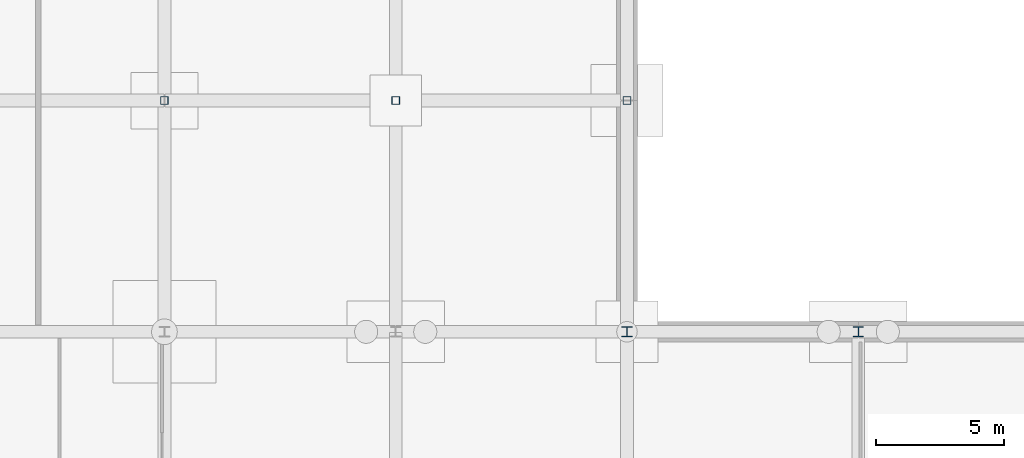
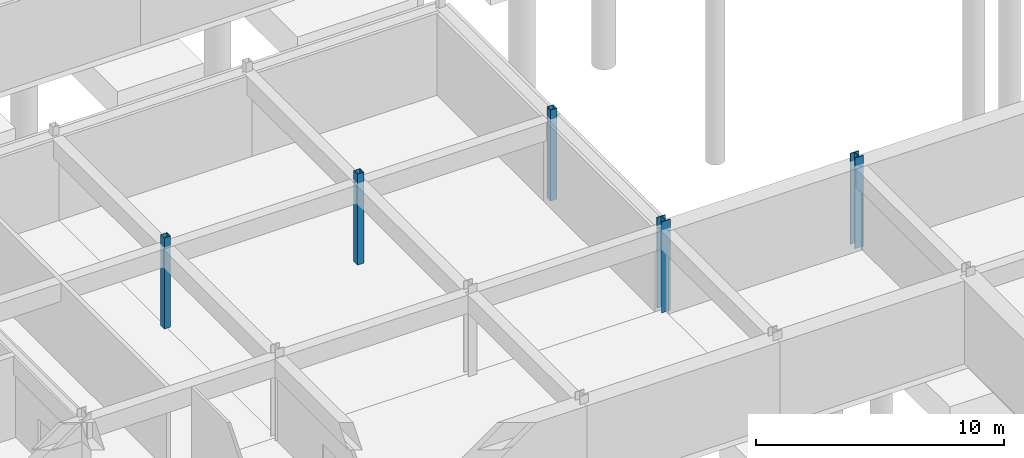
# One storey, part 16 of 41: 5 columns.
"""IFC4 building model written with IfcOpenShell, lengths in metres."""

import ifcopenshell
import ifcopenshell.guid

model = None  # the IFC model being written
_history = None  # IfcOwnerHistory: only IFC2X3 demands one
_inside = {}  # id of a spatial element -> (the spatial element, [elements in it])
_under = {}  # id of a project, library or spatial element -> (it, [spatial elements below it])
_declared = {}  # id of a project -> (the project, [libraries it declares])
_typed = {}  # id of a type object -> (the type object, [elements of that type])
_made_of = {}  # id of a material, layer set ... -> (it, [elements and type objects made of it])


def new_model(schema):
    """Start an empty IFC model of exactly this schema.

    Asked for "IFC4X3", IfcOpenShell would pick the latest addendum, in which some entities
    have other attributes; the version numbers below select the first issue.
    IFC2X3 requires an IfcOwnerHistory on every rooted entity: one is made here for all.
    """
    global model, _history
    if schema == "IFC4X3":
        model = ifcopenshell.file(schema_version=(4, 3, 0, 0))
    else:
        model = ifcopenshell.file(schema=schema)
    _inside.clear()
    _under.clear()
    _declared.clear()
    _typed.clear()
    _made_of.clear()
    _history = None
    if model.schema == "IFC2X3":
        org = make("IfcOrganization", Name="unknown")
        user = make(
            "IfcPersonAndOrganization",
            ThePerson=make("IfcPerson", FamilyName="unknown"),
            TheOrganization=org,
        )
        app = make(
            "IfcApplication",
            ApplicationDeveloper=org,
            Version="unknown",
            ApplicationFullName="unknown",
            ApplicationIdentifier="unknown",
        )
        _history = make(
            "IfcOwnerHistory",
            OwningUser=user,
            OwningApplication=app,
            ChangeAction="ADDED",
            CreationDate=0,
        )
    return model


def make(cls, **values):
    """One entity of the class cls with the attributes given. An attribute that is None is left unset."""
    return model.create_entity(
        cls, **{name: value for name, value in values.items() if value is not None}
    )


def rooted(cls, **values):
    """An entity with a GlobalId (a new one), such as an element, a storey or a relation."""
    return make(cls, GlobalId=ifcopenshell.guid.new(), OwnerHistory=_history, **values)


def si_unit(unit_type, name, prefix=None):
    """IfcSIUnit, for example si_unit("LENGTHUNIT", "METRE", prefix="MILLI")."""
    return make("IfcSIUnit", UnitType=unit_type, Prefix=prefix, Name=name)


def assignment(units):
    """IfcUnitAssignment: the units of a project."""
    return None if units is None else make("IfcUnitAssignment", Units=units)


def point(xyz):
    """IfcCartesianPoint."""
    return None if xyz is None else make("IfcCartesianPoint", Coordinates=xyz)


def direction(xyz):
    """IfcDirection."""
    return None if xyz is None else make("IfcDirection", DirectionRatios=xyz)


def frame(location, z_axis=None, x_axis=None):
    """IfcAxis2Placement3D, a coordinate frame: its origin and axes. An axis left out is left unset."""
    return make(
        "IfcAxis2Placement3D",
        Location=point(location),
        Axis=direction(z_axis),
        RefDirection=direction(x_axis),
    )


def frame_2d(location, x_axis=None):
    """IfcAxis2Placement2D, a coordinate frame in the plane: its origin and x axis."""
    return make(
        "IfcAxis2Placement2D", Location=point(location), RefDirection=direction(x_axis)
    )


def origin():
    """The frame at (0, 0, 0) with its axes left unset."""
    return frame((0.0, 0.0, 0.0))


def origin_2d():
    """The frame at (0, 0) in the plane with its x axis left unset."""
    return frame_2d((0.0, 0.0))


def place(relative_to, where):
    """IfcLocalPlacement: puts the frame where relative to a parent placement (None: the world)."""
    return make(
        "IfcLocalPlacement", PlacementRelTo=relative_to, RelativePlacement=where
    )


def context(
    kind, dimensions, precision=None, world=None, true_north=None, identifier=None
):
    """IfcGeometricRepresentationContext, for example the 3D "Model" context."""
    return make(
        "IfcGeometricRepresentationContext",
        ContextIdentifier=identifier,
        ContextType=kind,
        CoordinateSpaceDimension=dimensions,
        Precision=precision,
        WorldCoordinateSystem=world,
        TrueNorth=true_north,
    )


def subcontext(parent, identifier, kind, view, scale=None):
    """IfcGeometricRepresentationSubContext, for example "Body" below "Model"."""
    return make(
        "IfcGeometricRepresentationSubContext",
        ContextIdentifier=identifier,
        ContextType=kind,
        ParentContext=parent,
        TargetScale=scale,
        TargetView=view,
    )


def project(units=None, contexts=None):
    """IfcProject with its units and contexts."""
    return rooted(
        "IfcProject",
        Name="project",
        RepresentationContexts=contexts,
        UnitsInContext=assignment(units),
    )


def spatial(cls, under=None, at=None, **own):
    """A site, building, storey or space (cls), placed at a placement, below another one or the project."""
    s = rooted(cls, ObjectPlacement=at, **own)
    if under is not None:
        _under.setdefault(under.id(), (under, []))[1].append(s)
    return s


def profile(cls, at=None, kind="AREA", **sizes):
    """A parametric profile (cls). Its sizes go by their IFC names, for example OverallWidth=200.0."""
    return make(cls, ProfileType=kind, Position=at, **sizes)


def hollow_rectangle(**sizes):
    """IfcRectangleHollowProfileDef."""
    return profile("IfcRectangleHollowProfileDef", **sizes)


def i_section(**sizes):
    """IfcIShapeProfileDef."""
    return profile("IfcIShapeProfileDef", **sizes)


def extrude(swept, where, along, depth):
    """IfcExtrudedAreaSolid: the profile swept, set in the frame where, extruded along a direction by depth."""
    return make(
        "IfcExtrudedAreaSolid",
        SweptArea=swept,
        Position=where,
        ExtrudedDirection=direction(along),
        Depth=depth,
    )


def shape(context_of_items, identifier, shape_type, items):
    """IfcShapeRepresentation: the items that make up one representation, for example the "Body"."""
    return make(
        "IfcShapeRepresentation",
        ContextOfItems=context_of_items,
        RepresentationIdentifier=identifier,
        RepresentationType=shape_type,
        Items=items,
    )


def material(Name=None, Category=None):
    """IfcMaterial."""
    return make("IfcMaterial", Name=Name, Category=Category)


def material_profile(
    of_material, cross_section, Name=None, Category=None, Priority=None
):
    """IfcMaterialProfile: a cross section and its material."""
    return make(
        "IfcMaterialProfile",
        Name=Name,
        Material=of_material,
        Profile=cross_section,
        Priority=Priority,
        Category=Category,
    )


def profile_set(profiles, Name=None, composite=None):
    """IfcMaterialProfileSet."""
    return make(
        "IfcMaterialProfileSet",
        Name=Name,
        MaterialProfiles=profiles,
        CompositeProfile=composite,
    )


def made_of(thing, what):
    """Note that an element or type object is made of a material, layer set ...; save() writes the relation."""
    if what is not None:
        _made_of.setdefault(what.id(), (what, []))[1].append(thing)
    return thing


def type_object(cls, material=None, **own):
    """A type object (cls), such as IfcWallType, which elements share."""
    return made_of(rooted(cls, **own), material)


def element(
    cls,
    number,
    at=None,
    inside=None,
    cuts=None,
    type_object=None,
    material=None,
    context=None,
    identifier="Body",
    shape_type=None,
    held_by="IfcProductDefinitionShape",
    body=None,
    shapes=None,
    **own,
):
    """One element of the class cls, such as IfcWall. Its Tag is "e" and its number.

    at: its placement. inside: the storey or other place that contains it. cuts: it is an
    opening in that element (IfcRelVoidsElement). A single representation is given by context,
    identifier, shape_type and body (its items); several are given by shapes. held_by: the class
    of the entity that holds the representations. save() writes the other relations.
    """
    e = rooted(cls, Tag="e%d" % number, ObjectPlacement=at, **own)
    if body is not None:
        shapes = [shape(context, identifier, shape_type, body)]
    if shapes is not None:
        e.Representation = make(held_by, Representations=shapes)
    if inside is not None:
        _inside.setdefault(inside.id(), (inside, []))[1].append(e)
    if cuts is not None:
        rooted(
            "IfcRelVoidsElement", RelatingBuildingElement=cuts, RelatedOpeningElement=e
        )
    if type_object is not None:
        _typed.setdefault(type_object.id(), (type_object, []))[1].append(e)
    return made_of(e, material)


def aggregate(whole, parts):
    """IfcRelAggregates: a whole, such as a stair, and the parts it consists of."""
    return rooted("IfcRelAggregates", RelatingObject=whole, RelatedObjects=parts)


def save(model, path):
    """Write the relations noted so far, then the file.

    IfcRelAggregates (storeys below a building ...), IfcRelContainedInSpatialStructure (elements
    in a storey), IfcRelDefinesByType, IfcRelAssociatesMaterial and IfcRelDeclares: one each for
    every whole, place, type object, material and project.
    """
    for whole, parts in _under.values():
        aggregate(whole, parts)
    for where, things in _inside.values():
        rooted(
            "IfcRelContainedInSpatialStructure",
            RelatedElements=things,
            RelatingStructure=where,
        )
    for kind, things in _typed.values():
        rooted("IfcRelDefinesByType", RelatedObjects=things, RelatingType=kind)
    for what, things in _made_of.values():
        rooted("IfcRelAssociatesMaterial", RelatedObjects=things, RelatingMaterial=what)
    for by, libraries in _declared.values():
        rooted("IfcRelDeclares", RelatingContext=by, RelatedDefinitions=libraries)
    model.write(path)


model = new_model("IFC4")

# Units and contexts
model_context = context("Model", 3, precision=1e-05, world=origin(), true_north=direction((0.0, 1.0)))
body_context = subcontext(model_context, "Body", "Model", "MODEL_VIEW")
ifc_project = project(units=[si_unit("LENGTHUNIT", "METRE"), si_unit("AREAUNIT", "SQUARE_METRE"), si_unit("VOLUMEUNIT", "CUBIC_METRE"), si_unit("PLANEANGLEUNIT", "RADIAN"), si_unit("MASSUNIT", "GRAM", prefix="KILO")], contexts=[model_context])

# Site, building, storey
site_placement = place(None, origin())
site = spatial("IfcSite", under=ifc_project, at=site_placement, CompositionType="ELEMENT")
building_placement = place(site_placement, origin())
building = spatial("IfcBuilding", under=site, at=building_placement, Name="Palais des Congres Ocreval", CompositionType="ELEMENT")
storey_placement = place(building_placement, frame((0.0, 0.0, -8.9599609375)))
storey = spatial("IfcBuildingStorey", under=building, at=storey_placement, Name="B2", CompositionType="ELEMENT", Elevation=-8.9599609375)

# Columns
ifc_material = material(Name="Steel S355", Category="steel")
ifc_material_profile_1 = material_profile(ifc_material, i_section(OverallWidth=0.40087890625, OverallDepth=0.39892578125, WebThickness=0.0185546875, FlangeThickness=0.030029296875, at=origin_2d()), Name="HD 400x314")
ifc_profile_set_1 = profile_set([ifc_material_profile_1], Name="Steel S355")
column_type_1 = type_object("IfcColumnType", Name="Column HD 400x314 Steel S355", PredefinedType="COLUMN", material=ifc_profile_set_1)
for number, where, z_axis, x_axis, name in (
    (1, (144.0, 45.0, 0.0), (0.0, 0.0, 1.0), (1.0, 0.0, 0.0), "Column C04 B2"),
    (2, (153.0, 45.0, 0.0), (0.0, 0.0, 1.0), (1.0, 0.0, 0.0), "Column C04 B2"),
):
    element("IfcColumn", number, at=place(storey_placement, frame(where, z_axis=z_axis, x_axis=x_axis)), inside=storey, type_object=column_type_1, Name=name, PredefinedType="COLUMN", context=body_context, shape_type="SweptSolid", body=[
        extrude(i_section(OverallWidth=0.40087890625, OverallDepth=0.39892578125, WebThickness=0.0185546875, FlangeThickness=0.030029296875, at=origin_2d()), origin(), (0.0, 0.0, 1.0), 4.47998046875),
    ])
ifc_material_profile_2 = material_profile(ifc_material, hollow_rectangle(XDim=0.300048828125, YDim=0.300048828125, WallThickness=0.012451171875, at=origin_2d()), Name="RHS 300x300x12.5")
ifc_profile_set_2 = profile_set([ifc_material_profile_2], Name="Steel S355")
column_type_2 = type_object("IfcColumnType", Name="Column RHS 300x300x12.5 Steel S355", PredefinedType="COLUMN", material=ifc_profile_set_2)
for number, where, z_axis, x_axis, name in (
    (3, (126.0, 54.0, 0.0), (0.0, 0.0, 1.0), (1.0, 0.0, 0.0), "Column C19 B2"),
    (4, (135.0, 54.0, 0.0), (0.0, 0.0, 1.0), (1.0, 0.0, 0.0), "Column C19 B2"),
    (5, (144.0, 54.0, 0.0), (0.0, 0.0, 1.0), (1.0, 0.0, 0.0), "Column C19 B2"),
):
    element("IfcColumn", number, at=place(storey_placement, frame(where, z_axis=z_axis, x_axis=x_axis)), inside=storey, type_object=column_type_2, Name=name, PredefinedType="COLUMN", context=body_context, shape_type="SweptSolid", body=[
        extrude(hollow_rectangle(XDim=0.300048828125, YDim=0.300048828125, WallThickness=0.012451171875, at=origin_2d()), origin(), (0.0, 0.0, 1.0), 4.47998046875),
    ])

save(model, "model.ifc")
